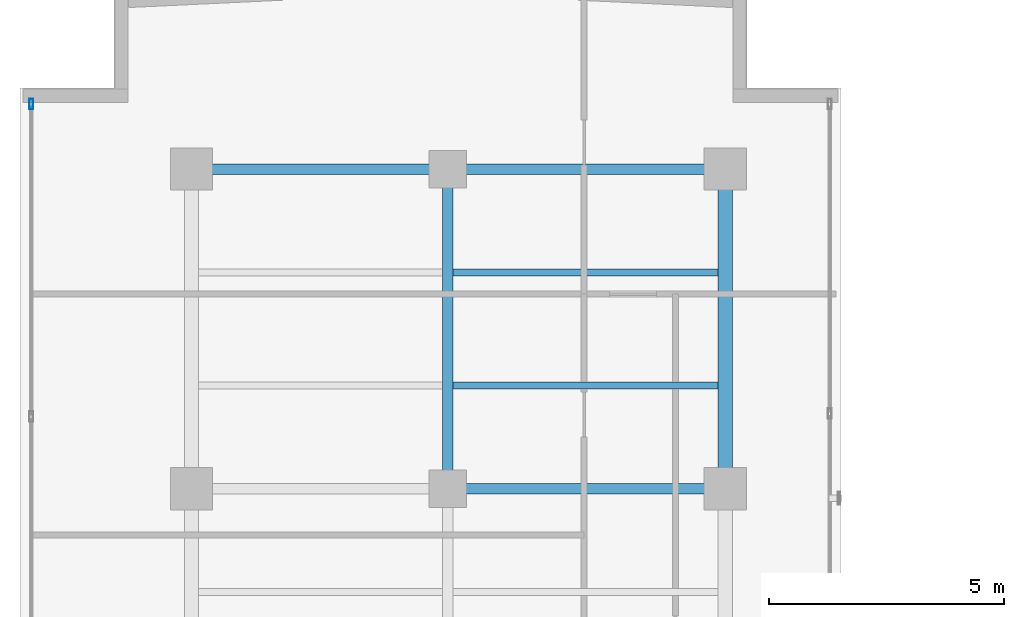
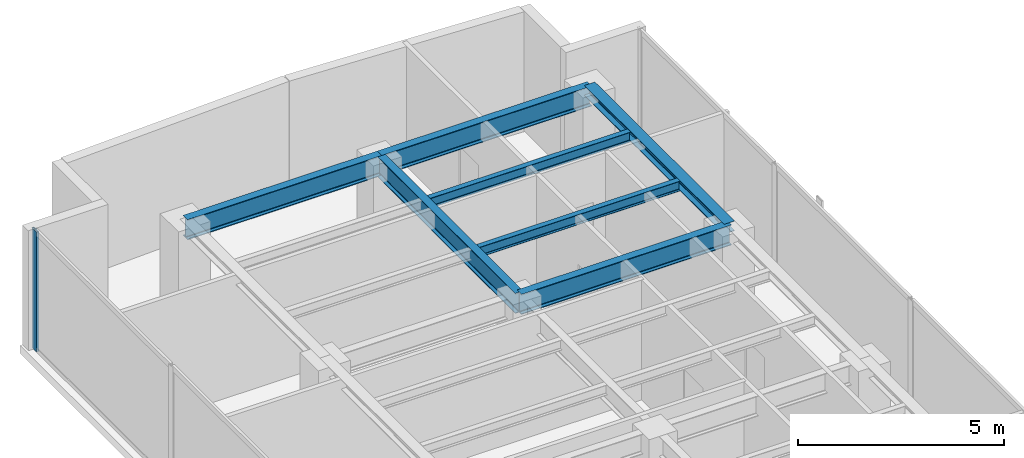
# One storey, part 14 of 22: 7 beams, 1 member, 1 element without a shape of its own.
"""IFC4 building model written with IfcOpenShell, lengths in metres."""

from ifc_helpers import new_model, si_unit, direction, frame, origin, origin_with_axes, origin_2d, place, context, subcontext, project, spatial, hollow_rectangle, i_section, extrude, source, transform, mapped, material, layer, layer_set, material_profile, profile_set, type_object, element, aggregate, save


model = new_model("IFC4")

# Units and contexts
model_context = context("Model", 3, precision=1e-05, world=origin(), true_north=direction((0.0, 1.0)))
body_context = subcontext(model_context, "Body", "Model", "MODEL_VIEW")
ifc_project = project(units=[si_unit("LENGTHUNIT", "METRE"), si_unit("AREAUNIT", "SQUARE_METRE"), si_unit("VOLUMEUNIT", "CUBIC_METRE"), si_unit("PLANEANGLEUNIT", "RADIAN"), si_unit("MASSUNIT", "GRAM", prefix="KILO")], contexts=[model_context])

# Site, building, storey
site_placement = place(None, origin())
site = spatial("IfcSite", under=ifc_project, at=site_placement, CompositionType="ELEMENT")
building_placement = place(site_placement, origin())
building = spatial("IfcBuilding", under=site, at=building_placement, Name="Kolvaren Waterfront Exchange", CompositionType="ELEMENT")
storey_placement = place(building_placement, frame((0.0, 0.0, 312.199951171875)))
storey = spatial("IfcBuildingStorey", under=building, at=storey_placement, Name="L80", CompositionType="ELEMENT", Elevation=312.199951171875)

# Beams
ifc_material_1 = material(Name="Steel S355", Category="steel")
ifc_material_profile_1 = material_profile(ifc_material_1, i_section(OverallWidth=0.300048828125, OverallDepth=0.300048828125, WebThickness=0.010986328125, FlangeThickness=0.01904296875, FilletRadius=0.027099609375, at=origin_2d()), Name="HEB300")
ifc_profile_set_1 = profile_set([ifc_material_profile_1], Name="Steel S355")
beam_type_1 = type_object("IfcBeamType", Name="STR-BM-HEB300", PredefinedType="SPANDREL", material=ifc_profile_set_1)
beam_1_placement = place(storey_placement, frame((18.800048828125, 37.800048828125, 3.41015625), z_axis=(0.0, 1.0, 0.0), x_axis=(-1.0, 0.0, 0.0)))
element("IfcBeam", 1, at=beam_1_placement, inside=storey, type_object=beam_type_1, Name="L80 north-arm edge beam 3", PredefinedType="SPANDREL", context=body_context, shape_type="SweptSolid", body=[
    extrude(i_section(OverallWidth=0.300048828125, OverallDepth=0.300048828125, WebThickness=0.010986328125, FlangeThickness=0.01904296875, FilletRadius=0.027099609375, at=origin_2d()), origin(), (0.0, 0.0, 1.0), 6.800048828125),
])
ifc_material_profile_2 = material_profile(ifc_material_1, i_section(OverallWidth=0.14990234375, OverallDepth=0.300048828125, WebThickness=0.007080078125, FlangeThickness=0.0107421875, FilletRadius=0.014892578125, at=origin_2d()), Name="IPE300")
ifc_profile_set_2 = profile_set([ifc_material_profile_2], Name="Steel S355")
beam_type_2 = type_object("IfcBeamType", Name="STR-BM-IPE300", PredefinedType="JOIST", material=ifc_profile_set_2)
for number, where, z_axis, x_axis, name in (
    (2, (13.011962890625, 40.0, 3.41015625), (1.0, 0.0, 0.0), (0.0, 1.0, 0.0), "L80 north-arm composite joist 5B"),
    (3, (13.011962890625, 42.39990234375, 3.41015625), (1.0, 0.0, 0.0), (0.0, 1.0, 0.0), "L80 north-arm composite joist 6B"),
):
    element("IfcBeam", number, at=place(storey_placement, frame(where, z_axis=z_axis, x_axis=x_axis)), inside=storey, type_object=beam_type_2, Name=name, PredefinedType="JOIST", context=body_context, shape_type="SweptSolid", body=[
        extrude(i_section(OverallWidth=0.14990234375, OverallDepth=0.300048828125, WebThickness=0.007080078125, FlangeThickness=0.0107421875, FilletRadius=0.014892578125, at=origin_2d()), origin(), (0.0, 0.0, 1.0), 5.635986328125),
    ])
ifc_material_profile_3 = material_profile(ifc_material_1, i_section(OverallWidth=0.219970703125, OverallDepth=0.60009765625, WebThickness=0.011962890625, FlangeThickness=0.01904296875, FilletRadius=0.02392578125, at=origin_2d()), Name="IPE600")
ifc_profile_set_3 = profile_set([ifc_material_profile_3], Name="Steel S355")
beam_type_3 = type_object("IfcBeamType", Name="STR-BM-IPE600", PredefinedType="BEAM", material=ifc_profile_set_3)
beam_2_placement = place(storey_placement, frame((12.89990234375, 37.800048828125, 3.260009765625), z_axis=(1.0, 0.0, 0.0), x_axis=(0.0, 1.0, 0.0)))
element("IfcBeam", 4, at=beam_2_placement, inside=storey, type_object=beam_type_3, Name="L80 north-arm girder 3B", PredefinedType="BEAM", context=body_context, shape_type="SweptSolid", body=[
    extrude(i_section(OverallWidth=0.219970703125, OverallDepth=0.60009765625, WebThickness=0.011962890625, FlangeThickness=0.01904296875, FilletRadius=0.02392578125, at=origin_2d()), origin(), (0.0, 0.0, 1.0), 5.900146484375),
])
beam_3_placement = place(storey_placement, frame((7.449951171875, 44.60009765625, 3.260009765625), z_axis=(1.0, 0.0, 0.0), x_axis=(0.0, 1.0, 0.0)))
element("IfcBeam", 5, at=beam_3_placement, inside=storey, type_object=beam_type_3, Name="L80 north-arm girder 4A", PredefinedType="BEAM", context=body_context, shape_type="SweptSolid", body=[
    extrude(i_section(OverallWidth=0.219970703125, OverallDepth=0.60009765625, WebThickness=0.011962890625, FlangeThickness=0.01904296875, FilletRadius=0.02392578125, at=origin_2d()), origin(), (0.0, 0.0, 1.0), 5.449951171875),
])
beam_4_placement = place(storey_placement, frame((12.89990234375, 44.60009765625, 3.260009765625), z_axis=(1.0, 0.0, 0.0), x_axis=(0.0, 1.0, 0.0)))
element("IfcBeam", 6, at=beam_4_placement, inside=storey, type_object=beam_type_3, Name="L80 north-arm girder 4B", PredefinedType="BEAM", context=body_context, shape_type="SweptSolid", body=[
    extrude(i_section(OverallWidth=0.219970703125, OverallDepth=0.60009765625, WebThickness=0.011962890625, FlangeThickness=0.01904296875, FilletRadius=0.02392578125, at=origin_2d()), origin(), (0.0, 0.0, 1.0), 5.900146484375),
])
beam_5_placement = place(storey_placement, frame((12.89990234375, 37.800048828125, 3.260009765625), z_axis=(0.0, 1.0, 0.0), x_axis=(-1.0, 0.0, 0.0)))
element("IfcBeam", 7, at=beam_5_placement, inside=storey, type_object=beam_type_3, Name="L80 north-arm edge beam 3", PredefinedType="BEAM", context=body_context, shape_type="SweptSolid", body=[
    extrude(i_section(OverallWidth=0.219970703125, OverallDepth=0.60009765625, WebThickness=0.011962890625, FlangeThickness=0.01904296875, FilletRadius=0.02392578125, at=origin_2d()), origin(), (0.0, 0.0, 1.0), 6.800048828125),
])

# Curtain wall, member
ifc_material_2 = material(Name="Anodised aluminium 6063-T6", Category="aluminium")
ifc_layer = layer(ifc_material_2, 0.219970703125, Name="Anodised aluminium 6063-T6")
ifc_layer_set = layer_set([ifc_layer], Name="Anodised aluminium 6063-T6")
curtain_wall_type = type_object("IfcCurtainWallType", Name="ARC-CW-SYS2", PredefinedType="USERDEFINED", material=ifc_layer_set)
curtain_wall_placement = place(storey_placement, origin())
curtain_wall = element("IfcCurtainWall", 8, at=curtain_wall_placement, inside=storey, type_object=curtain_wall_type, Name="L80 stick curtain wall CW2 (CW-L80-W)", ObjectType="STICK CURTAIN WALL", PredefinedType="USERDEFINED")
ifc_material_profile_4 = material_profile(ifc_material_2, hollow_rectangle(XDim=0.080078125, YDim=0.219970703125, WallThickness=0.0048828125, at=origin_2d()), Name="ALU-MUL-220x80x5")
ifc_profile_set_4 = profile_set([ifc_material_profile_4], Name="Anodised aluminium 6063-T6")
member_type = type_object("IfcMemberType", Name="ARC-CWM-220", PredefinedType="MULLION", material=ifc_profile_set_4)
shared_shape = source(origin_with_axes(), body_context, "Body", "SweptSolid", [
    extrude(hollow_rectangle(XDim=0.080078125, YDim=0.219970703125, WallThickness=0.0048828125, at=origin_2d()), origin(), (0.0, 0.0, 1.0), 3.56005859375),
])
member_placement = place(storey_placement, frame((4.0400390625, 45.981201171875, 0.0), z_axis=(0.0, 0.0, 1.0), x_axis=(-1.0, 0.0, 0.0)))
member = element("IfcMember", 9, at=member_placement, type_object=member_type, Name="CW2 mullion 7", PredefinedType="MULLION", context=body_context, shape_type="MappedRepresentation", body=[
    mapped(shared_shape, transform((0.0, 0.0, 0.0), x_axis=(1.0, 0.0, 0.0), y_axis=(0.0, 1.0, 0.0), z_axis=(0.0, 0.0, 1.0), scale=1.0)),
])
aggregate(curtain_wall, [member])

save(model, "model.ifc")
